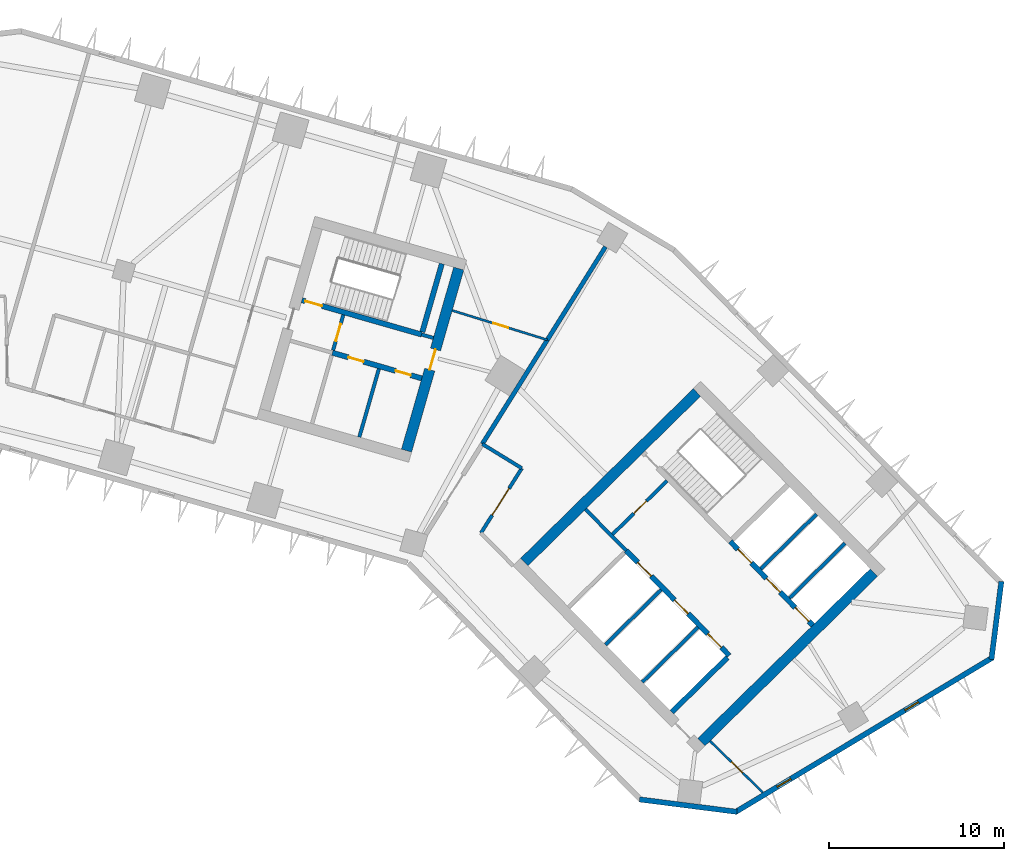
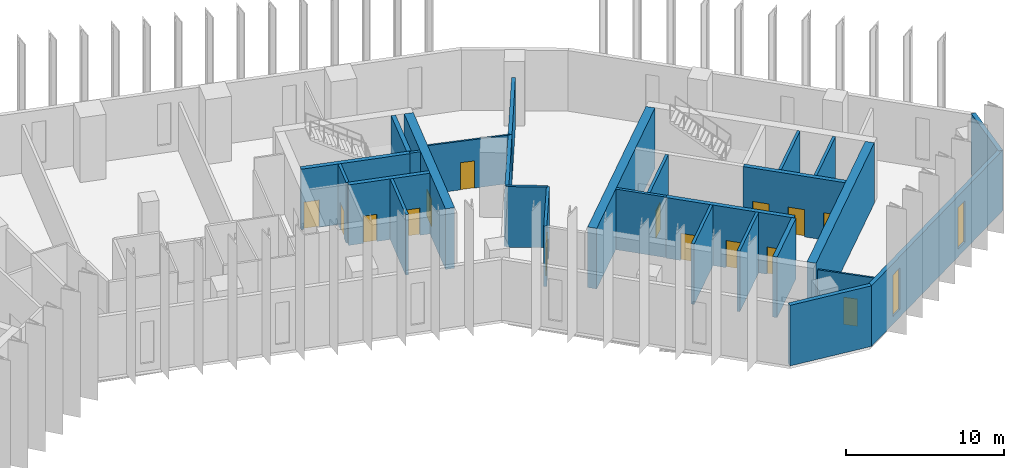
# One storey, part 6 of 11: 27 walls, 15 doors, 2 windows, 17 openings.
"""IFC4 building model written with IfcOpenShell, lengths in metres."""

from ifc_helpers import new_model, si_unit, direction, frame, frame_2d, origin, place, context, subcontext, project, spatial, rectangle, extrude, material, layer, layer_set, type_object, element, fill, save


model = new_model("IFC4")

# Units and contexts
model_context = context("Model", 3, precision=1e-05, world=origin(), true_north=direction((0.0, 1.0)))
body_context = subcontext(model_context, "Body", "Model", "MODEL_VIEW")
ifc_project = project(units=[si_unit("LENGTHUNIT", "METRE"), si_unit("AREAUNIT", "SQUARE_METRE"), si_unit("VOLUMEUNIT", "CUBIC_METRE"), si_unit("PLANEANGLEUNIT", "RADIAN"), si_unit("MASSUNIT", "GRAM", prefix="KILO")], contexts=[model_context])

# Site, building, storey
site_placement = place(None, origin())
site = spatial("IfcSite", under=ifc_project, at=site_placement, CompositionType="ELEMENT")
building_placement = place(site_placement, origin())
building = spatial("IfcBuilding", under=site, at=building_placement, Name="Binnacle Exchange Tower", CompositionType="ELEMENT")
storey_placement = place(building_placement, frame((0.0, 0.0, 76.5)))
storey = spatial("IfcBuildingStorey", under=building, at=storey_placement, Name="L15", CompositionType="ELEMENT", Elevation=76.5)

# Wall
ifc_material_1 = material(Name="Gypsum partition fire rated")
ifc_layer_1 = layer(ifc_material_1, 0.199951171875)
ifc_layer_set_1 = layer_set([ifc_layer_1], Name="Core partition 200")
wall_type_1 = type_object("IfcWallType", Name="Core partition 200", PredefinedType="PARTITIONING", material=ifc_layer_set_1)
wall_1_placement = place(storey_placement, frame((22.664794921875, 47.88330078125, 0.0), z_axis=(0.0, 0.0, 1.0), x_axis=(0.275596769212, 0.961273333033, 0.0)))
element("IfcWall", 1, at=wall_1_placement, inside=storey, type_object=wall_type_1, Name="Core wall CRWD10", PredefinedType="PARTITIONING", context=body_context, shape_type="SweptSolid", body=[
    extrude(rectangle(XDim=4.050048828125, YDim=0.199951171875, at=frame_2d((2.02490234375, 0.0))), origin(), (0.0, 0.0, 1.0), 4.679931640625),
])

# Wall, openings, doors
ifc_material_2 = material(Name="Concrete C70/85", Category="concrete")
ifc_layer_2 = layer(ifc_material_2, 0.300048828125)
ifc_layer_set_2 = layer_set([ifc_layer_2], Name="Core wall - front 300")
wall_type_2 = type_object("IfcWallType", Name="Core wall - front 300", PredefinedType="SOLIDWALL", material=ifc_layer_set_2)
wall_2_placement = place(storey_placement, frame((37.8740234375, 41.41552734375, 0.0), z_axis=(0.0, 0.0, 1.0), x_axis=(0.700918271237, -0.71324159795, 0.0)))
wall_2 = element("IfcWall", 2, at=wall_2_placement, inside=storey, type_object=wall_type_2, Name="Core wall CRWB3", PredefinedType="SOLIDWALL", context=body_context, shape_type="SweptSolid", body=[
    extrude(rectangle(XDim=8.39990234375, YDim=0.300048828125, at=frame_2d((4.199951171875, 0.0))), origin(), (0.0, 0.0, 1.0), 4.679931640625),
])
opening_1_placement = place(wall_2_placement, frame((0.949951171875, 0.0, 0.0)))
opening_1 = element("IfcOpeningElement", 3, at=opening_1_placement, cuts=wall_2, Name="Opening LD15", PredefinedType="OPENING", context=body_context, shape_type="SweptSolid", body=[
    extrude(rectangle(XDim=1.10009765625, YDim=2.10009765625, at=frame_2d((0.550048828125, 1.050048828125))), frame((0.0, 0.159912109375, 0.0), z_axis=(0.0, -1.0, 0.0), x_axis=(1.0, 0.0, 0.0)), (0.0, 0.0, 1.0), 0.320068359375),
])
opening_2_placement = place(wall_2_placement, frame((3.949951171875, 0.0, 0.0)))
opening_2 = element("IfcOpeningElement", 4, at=opening_2_placement, cuts=wall_2, Name="Opening LD16", PredefinedType="OPENING", context=body_context, shape_type="SweptSolid", body=[
    extrude(rectangle(XDim=1.10009765625, YDim=2.10009765625, at=frame_2d((0.550048828125, 1.050048828125))), frame((0.0, 0.159912109375, 0.0), z_axis=(0.0, -1.0, 0.0), x_axis=(1.0, 0.0, 0.0)), (0.0, 0.0, 1.0), 0.320068359375),
])
opening_3_placement = place(wall_2_placement, frame((6.64990234375, 0.0, 0.0)))
opening_3 = element("IfcOpeningElement", 5, at=opening_3_placement, cuts=wall_2, Name="Opening LD4", PredefinedType="OPENING", context=body_context, shape_type="SweptSolid", body=[
    extrude(rectangle(XDim=1.10009765625, YDim=2.10009765625, at=frame_2d((0.550048828125, 1.050048828125))), frame((0.0, 0.159912109375, 0.0), z_axis=(0.0, -1.0, 0.0), x_axis=(1.0, 0.0, 0.0)), (0.0, 0.0, 1.0), 0.320068359375),
])
ifc_material_3 = material(Name="Steel door leaf", Category="steel")
door_type_1 = type_object("IfcDoorType", Name="Fire door - lift landing 1100", OperationType="NOTDEFINED", PredefinedType="DOOR", material=ifc_material_3)
door_1_placement = place(opening_1_placement, origin())
door_1 = element("IfcDoor", 6, at=door_1_placement, inside=storey, type_object=door_type_1, Name="Landing door LD15 L15", OperationType="DOUBLE_DOOR_SLIDING", OverallHeight=2.10009765625, OverallWidth=1.10009765625, PredefinedType="DOOR", context=body_context, shape_type="SweptSolid", body=[
    extrude(rectangle(XDim=1.10009765625, YDim=2.10009765625, at=frame_2d((0.550048828125, 1.050048828125))), frame((0.0, 0.02490234375, 0.0), z_axis=(0.0, -1.0, 0.0), x_axis=(1.0, 0.0, 0.0)), (0.0, 0.0, 1.0), 0.050048828125),
])
fill(opening_1, door_1)
door_2_placement = place(opening_2_placement, origin())
door_2 = element("IfcDoor", 7, at=door_2_placement, inside=storey, type_object=door_type_1, Name="Landing door LD16 L15", OperationType="DOUBLE_DOOR_SLIDING", OverallHeight=2.10009765625, OverallWidth=1.10009765625, PredefinedType="DOOR", context=body_context, shape_type="SweptSolid", body=[
    extrude(rectangle(XDim=1.10009765625, YDim=2.10009765625, at=frame_2d((0.550048828125, 1.050048828125))), frame((0.0, 0.02490234375, 0.0), z_axis=(0.0, -1.0, 0.0), x_axis=(1.0, 0.0, 0.0)), (0.0, 0.0, 1.0), 0.050048828125),
])
fill(opening_2, door_2)
door_3_placement = place(opening_3_placement, origin())
door_3 = element("IfcDoor", 8, at=door_3_placement, inside=storey, type_object=door_type_1, Name="Landing door LD4 L15", OperationType="DOUBLE_DOOR_SLIDING", OverallHeight=2.10009765625, OverallWidth=1.10009765625, PredefinedType="DOOR", context=body_context, shape_type="SweptSolid", body=[
    extrude(rectangle(XDim=1.10009765625, YDim=2.10009765625, at=frame_2d((0.550048828125, 1.050048828125))), frame((0.0, 0.02490234375, 0.0), z_axis=(0.0, -1.0, 0.0), x_axis=(1.0, 0.0, 0.0)), (0.0, 0.0, 1.0), 0.050048828125),
])
fill(opening_3, door_3)

wall_3_placement = place(storey_placement, frame((43.818603515625, 41.92919921875, 0.0), z_axis=(0.0, 0.0, 1.0), x_axis=(0.700921619155, -0.713238307862, 0.0)))
wall_3 = element("IfcWall", 9, at=wall_3_placement, inside=storey, type_object=wall_type_2, Name="Core wall CRWB5", PredefinedType="SOLIDWALL", context=body_context, shape_type="SweptSolid", body=[
    extrude(rectangle(XDim=6.69970703125, YDim=0.300048828125, at=frame_2d((3.349853515625, 0.0))), origin(), (0.0, 0.0, 1.0), 4.679931640625),
])
opening_4_placement = place(wall_3_placement, frame((0.614990234375, 0.0, 0.0)))
opening_4 = element("IfcOpeningElement", 10, at=opening_4_placement, cuts=wall_3, Name="Opening LD1", PredefinedType="OPENING", context=body_context, shape_type="SweptSolid", body=[
    extrude(rectangle(XDim=1.10009765625, YDim=2.10009765625, at=frame_2d((0.550048828125, 1.050048828125))), frame((0.0, 0.159912109375, 0.0), z_axis=(0.0, -1.0, 0.0), x_axis=(1.0, 0.0, 0.0)), (0.0, 0.0, 1.0), 0.320068359375),
])
opening_5_placement = place(wall_3_placement, frame((2.945068359375, 0.0, 0.0)))
opening_5 = element("IfcOpeningElement", 11, at=opening_5_placement, cuts=wall_3, Name="Opening LD2", PredefinedType="OPENING", context=body_context, shape_type="SweptSolid", body=[
    extrude(rectangle(XDim=1.10009765625, YDim=2.10009765625, at=frame_2d((0.550048828125, 1.050048828125))), frame((0.0, 0.159912109375, 0.0), z_axis=(0.0, -1.0, 0.0), x_axis=(1.0, 0.0, 0.0)), (0.0, 0.0, 1.0), 0.320068359375),
])
opening_6_placement = place(wall_3_placement, frame((5.280029296875, 0.0, 0.0)))
opening_6 = element("IfcOpeningElement", 12, at=opening_6_placement, cuts=wall_3, Name="Opening LD3", PredefinedType="OPENING", context=body_context, shape_type="SweptSolid", body=[
    extrude(rectangle(XDim=1.10009765625, YDim=2.10009765625, at=frame_2d((0.550048828125, 1.050048828125))), frame((0.0, 0.159912109375, 0.0), z_axis=(0.0, -1.0, 0.0), x_axis=(1.0, 0.0, 0.0)), (0.0, 0.0, 1.0), 0.320068359375),
])
door_4_placement = place(opening_4_placement, origin())
door_4 = element("IfcDoor", 13, at=door_4_placement, inside=storey, type_object=door_type_1, Name="Landing door LD1 L15", OperationType="DOUBLE_DOOR_SLIDING", OverallHeight=2.10009765625, OverallWidth=1.10009765625, PredefinedType="DOOR", context=body_context, shape_type="SweptSolid", body=[
    extrude(rectangle(XDim=1.10009765625, YDim=2.10009765625, at=frame_2d((0.550048828125, 1.050048828125))), frame((0.0, 0.02490234375, 0.0), z_axis=(0.0, -1.0, 0.0), x_axis=(1.0, 0.0, 0.0)), (0.0, 0.0, 1.0), 0.050048828125),
])
fill(opening_4, door_4)
door_5_placement = place(opening_5_placement, origin())
door_5 = element("IfcDoor", 14, at=door_5_placement, inside=storey, type_object=door_type_1, Name="Landing door LD2 L15", OperationType="DOUBLE_DOOR_SLIDING", OverallHeight=2.10009765625, OverallWidth=1.10009765625, PredefinedType="DOOR", context=body_context, shape_type="SweptSolid", body=[
    extrude(rectangle(XDim=1.10009765625, YDim=2.10009765625, at=frame_2d((0.550048828125, 1.050048828125))), frame((0.0, 0.02490234375, 0.0), z_axis=(0.0, -1.0, 0.0), x_axis=(1.0, 0.0, 0.0)), (0.0, 0.0, 1.0), 0.050048828125),
])
fill(opening_5, door_5)
door_6_placement = place(opening_6_placement, origin())
door_6 = element("IfcDoor", 15, at=door_6_placement, inside=storey, type_object=door_type_1, Name="Landing door LD3 L15", OperationType="DOUBLE_DOOR_SLIDING", OverallHeight=2.10009765625, OverallWidth=1.10009765625, PredefinedType="DOOR", context=body_context, shape_type="SweptSolid", body=[
    extrude(rectangle(XDim=1.10009765625, YDim=2.10009765625, at=frame_2d((0.550048828125, 1.050048828125))), frame((0.0, 0.02490234375, 0.0), z_axis=(0.0, -1.0, 0.0), x_axis=(1.0, 0.0, 0.0)), (0.0, 0.0, 1.0), 0.050048828125),
])
fill(opening_6, door_6)

# Wall
wall_4_placement = place(storey_placement, frame((40.480712890625, 32.199951171875, 0.0), z_axis=(0.0, 0.0, 1.0), x_axis=(0.713251741427, 0.700907949271, 0.0)))
element("IfcWall", 16, at=wall_4_placement, inside=storey, type_object=wall_type_2, Name="Core wall CRWB14", PredefinedType="SOLIDWALL", context=body_context, shape_type="SweptSolid", body=[
    extrude(rectangle(XDim=4.4501953125, YDim=0.300048828125, at=frame_2d((2.22509765625, 0.0))), origin(), (0.0, 0.0, 1.0), 4.679931640625),
])

# Wall, openings, doors
wall_5_placement = place(storey_placement, frame((21.130859375, 52.6923828125, 0.0), z_axis=(0.0, 0.0, 1.0), x_axis=(0.961271492568, -0.275603188616, 0.0)))
wall_5 = element("IfcWall", 17, at=wall_5_placement, inside=storey, type_object=wall_type_2, Name="Core wall CRWD3", PredefinedType="SOLIDWALL", context=body_context, shape_type="SweptSolid", body=[
    extrude(rectangle(XDim=5.300048828125, YDim=0.300048828125, at=frame_2d((2.64990234375, 0.0))), origin(), (0.0, 0.0, 1.0), 4.679931640625),
])
opening_7_placement = place(wall_5_placement, frame((0.949951171875, 0.0, 0.0)))
opening_7 = element("IfcOpeningElement", 18, at=opening_7_placement, cuts=wall_5, Name="Opening DD10", PredefinedType="OPENING", context=body_context, shape_type="SweptSolid", body=[
    extrude(rectangle(XDim=0.89990234375, YDim=2.10009765625, at=frame_2d((0.449951171875, 1.050048828125))), frame((0.0, 0.159912109375, 0.0), z_axis=(0.0, -1.0, 0.0), x_axis=(1.0, 0.0, 0.0)), (0.0, 0.0, 1.0), 0.320068359375),
])
opening_8_placement = place(wall_5_placement, frame((3.75, 0.0, 0.0)))
opening_8 = element("IfcOpeningElement", 19, at=opening_8_placement, cuts=wall_5, Name="Opening DD11", PredefinedType="OPENING", context=body_context, shape_type="SweptSolid", body=[
    extrude(rectangle(XDim=0.89990234375, YDim=2.10009765625, at=frame_2d((0.449951171875, 1.050048828125))), frame((0.0, 0.159912109375, 0.0), z_axis=(0.0, -1.0, 0.0), x_axis=(1.0, 0.0, 0.0)), (0.0, 0.0, 1.0), 0.320068359375),
])
door_type_2 = type_object("IfcDoorType", Name="Fire door 900", OperationType="NOTDEFINED", PredefinedType="DOOR", material=ifc_material_3)
door_7_placement = place(opening_7_placement, frame((0.89990234375, 0.0, 0.0), z_axis=(0.0, 0.0, 1.0), x_axis=(-1.0, 0.0, 0.0)))
door_7 = element("IfcDoor", 20, at=door_7_placement, inside=storey, type_object=door_type_2, Name="Core room door COMMS RISER ROOM", OperationType="SINGLE_SWING_RIGHT", OverallHeight=2.10009765625, OverallWidth=0.89990234375, PredefinedType="DOOR", context=body_context, shape_type="SweptSolid", body=[
    extrude(rectangle(XDim=0.89990234375, YDim=2.10009765625, at=frame_2d((0.449951171875, 1.050048828125))), frame((0.0, 0.02490234375, 0.0), z_axis=(0.0, -1.0, 0.0), x_axis=(1.0, 0.0, 0.0)), (0.0, 0.0, 1.0), 0.050048828125),
])
fill(opening_7, door_7)
door_8_placement = place(opening_8_placement, frame((0.89990234375, 0.0, 0.0), z_axis=(0.0, 0.0, 1.0), x_axis=(-1.0, 0.0, 0.0)))
door_8 = element("IfcDoor", 21, at=door_8_placement, inside=storey, type_object=door_type_2, Name="Core room door CLEANERS STORE", OperationType="SINGLE_SWING_LEFT", OverallHeight=2.10009765625, OverallWidth=0.89990234375, PredefinedType="DOOR", context=body_context, shape_type="SweptSolid", body=[
    extrude(rectangle(XDim=0.89990234375, YDim=2.10009765625, at=frame_2d((0.449951171875, 1.050048828125))), frame((0.0, 0.02490234375, 0.0), z_axis=(0.0, -1.0, 0.0), x_axis=(1.0, 0.0, 0.0)), (0.0, 0.0, 1.0), 0.050048828125),
])
fill(opening_8, door_8)

# Walls
ifc_layer_3 = layer(ifc_material_2, 0.60009765625)
ifc_layer_set_3 = layer_set([ifc_layer_3], Name="Core wall - outer 600")
wall_type_3 = type_object("IfcWallType", Name="Core wall - outer 600", PredefinedType="SOLIDWALL", material=ifc_layer_set_3)
for number, where, z_axis, x_axis, name in (
    (22, (32.06982421875, 40.759033203125, 0.0), (0.0, 0.0, 1.0), (0.713245344712, 0.70091445858, 0.0), "Core wall CRWB7"),
    (23, (42.1630859375, 30.48828125, 0.0), (0.0, 0.0, 1.0), (0.713245344712, 0.70091445858, 0.0), "Core wall CRWB16"),
):
    element("IfcWall", number, at=place(storey_placement, frame(where, z_axis=z_axis, x_axis=x_axis)), inside=storey, type_object=wall_type_3, Name=name, PredefinedType="SOLIDWALL", context=body_context, shape_type="SweptSolid", body=[
        extrude(rectangle(XDim=13.800048828125, YDim=0.60009765625, at=frame_2d((6.89990234375, 0.0))), origin(), (0.0, 0.0, 1.0), 4.679931640625),
    ])

# Wall, opening, door
wall_6_placement = place(storey_placement, frame((25.356201171875, 47.111572265625, 0.0), z_axis=(0.0, 0.0, 1.0), x_axis=(0.275631631629, 0.961263337304, 0.0)))
wall_6 = element("IfcWall", 24, at=wall_6_placement, inside=storey, type_object=wall_type_3, Name="Core wall CRWD12", PredefinedType="SOLIDWALL", context=body_context, shape_type="SweptSolid", body=[
    extrude(rectangle(XDim=10.800048828125, YDim=0.60009765625, at=frame_2d((5.39990234375, 0.0))), origin(), (0.0, 0.0, 1.0), 4.679931640625),
])
opening_9_placement = place(wall_6_placement, frame((4.800048828125, 0.0, 0.0)))
opening_9 = element("IfcOpeningElement", 25, at=opening_9_placement, cuts=wall_6, Name="Opening DD6", PredefinedType="OPENING", context=body_context, shape_type="SweptSolid", body=[
    extrude(rectangle(XDim=1.199951171875, YDim=2.10009765625, at=frame_2d((0.60009765625, 1.050048828125))), frame((0.0, 0.31005859375, 0.0), z_axis=(0.0, -1.0, 0.0), x_axis=(1.0, 0.0, 0.0)), (0.0, 0.0, 1.0), 0.6201171875),
])
door_type_3 = type_object("IfcDoorType", Name="Fire door 1200", OperationType="NOTDEFINED", PredefinedType="DOOR", material=ifc_material_3)
door_9_placement = place(opening_9_placement, frame((1.199951171875, 0.0, 0.0), z_axis=(0.0, 0.0, 1.0), x_axis=(-1.0, 0.0, 0.0)))
door_9 = element("IfcDoor", 26, at=door_9_placement, inside=storey, type_object=door_type_3, Name="Core passage exit door", OperationType="SINGLE_SWING_LEFT", OverallHeight=2.10009765625, OverallWidth=1.199951171875, PredefinedType="DOOR", context=body_context, shape_type="SweptSolid", body=[
    extrude(rectangle(XDim=1.199951171875, YDim=2.10009765625, at=frame_2d((0.60009765625, 1.050048828125))), frame((0.0, 0.02490234375, 0.0), z_axis=(0.0, -1.0, 0.0), x_axis=(1.0, 0.0, 0.0)), (0.0, 0.0, 1.0), 0.050048828125),
])
fill(opening_9, door_9)

ifc_layer_4 = layer(ifc_material_2, 0.300048828125)
ifc_layer_set_4 = layer_set([ifc_layer_4], Name="Core wall - stair 300")
wall_type_4 = type_object("IfcWallType", Name="Core wall - stair 300", PredefinedType="SOLIDWALL", material=ifc_layer_set_4)
wall_7_placement = place(storey_placement, frame((19.38916015625, 55.688720703125, 0.0), z_axis=(0.0, 0.0, 1.0), x_axis=(0.961261397636, -0.275638396117, 0.0)))
wall_7 = element("IfcWall", 27, at=wall_7_placement, inside=storey, type_object=wall_type_4, Name="Core wall CRWD4", PredefinedType="SOLIDWALL", context=body_context, shape_type="SweptSolid", body=[
    extrude(rectangle(XDim=7.10009765625, YDim=0.300048828125, at=frame_2d((3.550048828125, 0.0))), origin(), (0.0, 0.0, 1.0), 4.679931640625),
])
opening_10_placement = place(wall_7_placement, frame((0.199951171875, 0.0, 0.0)))
opening_10 = element("IfcOpeningElement", 28, at=opening_10_placement, cuts=wall_7, Name="Opening DD1", PredefinedType="OPENING", context=body_context, shape_type="SweptSolid", body=[
    extrude(rectangle(XDim=1.0, YDim=2.10009765625, at=frame_2d((0.5, 1.050048828125))), frame((0.0, 0.159912109375, 0.0), z_axis=(0.0, -1.0, 0.0), x_axis=(1.0, 0.0, 0.0)), (0.0, 0.0, 1.0), 0.320068359375),
])
door_type_4 = type_object("IfcDoorType", Name="Fire door 1000", OperationType="NOTDEFINED", PredefinedType="DOOR", material=ifc_material_3)
door_10_placement = place(opening_10_placement, origin())
door_10 = element("IfcDoor", 29, at=door_10_placement, inside=storey, type_object=door_type_4, Name="Stair door ST-D1", OperationType="SINGLE_SWING_LEFT", OverallHeight=2.10009765625, OverallWidth=1.0, PredefinedType="DOOR", context=body_context, shape_type="SweptSolid", body=[
    extrude(rectangle(XDim=1.0, YDim=2.10009765625, at=frame_2d((0.5, 1.050048828125))), frame((0.0, 0.02490234375, 0.0), z_axis=(0.0, -1.0, 0.0), x_axis=(1.0, 0.0, 0.0)), (0.0, 0.0, 1.0), 0.050048828125),
])
fill(opening_10, door_10)

# Walls
wall_8_placement = place(storey_placement, frame((26.255615234375, 53.875732421875, 0.0), z_axis=(0.0, 0.0, 1.0), x_axis=(0.275612739511, 0.961268754209, 0.0)))
element("IfcWall", 30, at=wall_8_placement, inside=storey, type_object=wall_type_4, Name="Core wall CRWD11", PredefinedType="SOLIDWALL", context=body_context, shape_type="SweptSolid", body=[
    extrude(rectangle(XDim=4.0498046875, YDim=0.300048828125, at=frame_2d((2.02490234375, 0.0))), origin(), (0.0, 0.0, 1.0), 4.679931640625),
])
ifc_material_4 = material(Name="Bronze aluminium cladding", Category="aluminium")
ifc_layer_5 = layer(ifc_material_4, 0.300048828125)
ifc_layer_set_5 = layer_set([ifc_layer_5], Name="External wall - spandrel 300")
wall_type_5 = type_object("IfcWallType", Name="External wall - spandrel 300", PredefinedType="STANDARD", material=ifc_layer_set_5)
wall_9_placement = place(storey_placement, frame((44.19580078125, 26.517822265625, 0.0), z_axis=(0.0, 0.0, 1.0), x_axis=(-0.992001881269, 0.126223086474, 0.0)))
element("IfcWall", 31, at=wall_9_placement, inside=storey, type_object=wall_type_5, Name="External wall EW-F10 L15", PredefinedType="STANDARD", context=body_context, shape_type="SweptSolid", body=[
    extrude(rectangle(XDim=5.6015625, YDim=0.300048828125, at=frame_2d((2.80078125, 0.0))), origin(), (0.0, 0.0, 1.0), 4.679931640625),
])

# Wall, openings, windows
wall_10_placement = place(storey_placement, frame((58.7783203125, 35.317626953125, 0.0), z_axis=(0.0, 0.0, 1.0), x_axis=(-0.857168206138, -0.515036568009, 0.0)))
wall_10 = element("IfcWall", 32, at=wall_10_placement, inside=storey, type_object=wall_type_5, Name="External wall EW-F11 L15", PredefinedType="STANDARD", context=body_context, shape_type="SweptSolid", body=[
    extrude(rectangle(XDim=17.124755859375, YDim=0.300048828125, at=frame_2d((8.5625, 0.0))), origin(), (0.0, 0.0, 1.0), 4.679931640625),
])
opening_11_placement = place(wall_10_placement, frame((13.435302734375, 0.0, 0.60009765625)))
opening_11 = element("IfcOpeningElement", 33, at=opening_11_placement, cuts=wall_10, Name="Opening WS1", PredefinedType="OPENING", context=body_context, shape_type="SweptSolid", body=[
    extrude(rectangle(XDim=0.89990234375, YDim=3.199951171875, at=frame_2d((0.449951171875, 1.60009765625))), frame((0.0, 0.159912109375, 0.0), z_axis=(0.0, -1.0, 0.0), x_axis=(1.0, 0.0, 0.0)), (0.0, 0.0, 1.0), 0.320068359375),
])
opening_12_placement = place(wall_10_placement, frame((4.935302734375, 0.0, 0.60009765625)))
opening_12 = element("IfcOpeningElement", 34, at=opening_12_placement, cuts=wall_10, Name="Opening WS1", PredefinedType="OPENING", context=body_context, shape_type="SweptSolid", body=[
    extrude(rectangle(XDim=0.89990234375, YDim=3.199951171875, at=frame_2d((0.449951171875, 1.60009765625))), frame((0.0, 0.159912109375, 0.0), z_axis=(0.0, -1.0, 0.0), x_axis=(1.0, 0.0, 0.0)), (0.0, 0.0, 1.0), 0.320068359375),
])
ifc_material_5 = material(Name="Bronze anodised aluminium frame", Category="aluminium")
window_type = type_object("IfcWindowType", Name="WS1 WINDOW 900x3200", PartitioningType="SINGLE_PANEL", PredefinedType="WINDOW", material=ifc_material_5)
window_1_placement = place(opening_11_placement, origin())
window_1 = element("IfcWindow", 35, at=window_1_placement, inside=storey, type_object=window_type, Name="Window WS1 L15", OverallHeight=3.199951171875, OverallWidth=0.89990234375, PartitioningType="SINGLE_PANEL", PredefinedType="WINDOW", context=body_context, shape_type="SweptSolid", body=[
    extrude(rectangle(XDim=0.89990234375, YDim=3.199951171875, at=frame_2d((0.449951171875, 1.60009765625))), frame((0.0, 0.030029296875, 0.0), z_axis=(0.0, -1.0, 0.0), x_axis=(1.0, 0.0, 0.0)), (0.0, 0.0, 1.0), 0.06005859375),
])
fill(opening_11, window_1)
window_2_placement = place(opening_12_placement, origin())
window_2 = element("IfcWindow", 36, at=window_2_placement, inside=storey, type_object=window_type, Name="Window WS1 L15", OverallHeight=3.199951171875, OverallWidth=0.89990234375, PartitioningType="SINGLE_PANEL", PredefinedType="WINDOW", context=body_context, shape_type="SweptSolid", body=[
    extrude(rectangle(XDim=0.89990234375, YDim=3.199951171875, at=frame_2d((0.449951171875, 1.60009765625))), frame((0.0, 0.030029296875, 0.0), z_axis=(0.0, -1.0, 0.0), x_axis=(1.0, 0.0, 0.0)), (0.0, 0.0, 1.0), 0.06005859375),
])
fill(opening_12, window_2)

# Wall
wall_11_placement = place(storey_placement, frame((59.27197265625, 39.6513671875, 0.0), z_axis=(0.0, 0.0, 1.0), x_axis=(-0.126181137886, -0.992007217938, 0.0)))
element("IfcWall", 37, at=wall_11_placement, inside=storey, type_object=wall_type_5, Name="External wall EW-F12 L15", PredefinedType="STANDARD", context=body_context, shape_type="SweptSolid", body=[
    extrude(rectangle(XDim=4.479248046875, YDim=0.300048828125, at=frame_2d((2.23974609375, 0.0))), origin(), (0.0, 0.0, 1.0), 4.679931640625),
])

# Wall, opening, door
ifc_material_6 = material(Name="Masonry block wall", Category="masonry")
ifc_layer_6 = layer(ifc_material_6, 0.199951171875)
ifc_layer_set_6 = layer_set([ifc_layer_6], Name="Fire wall - block 200")
wall_type_6 = type_object("IfcWallType", Name="Fire wall - block 200", PredefinedType="PARTITIONING", material=ifc_layer_set_6)
wall_12_placement = place(storey_placement, frame((29.60009765625, 42.416015625, 0.0), z_axis=(0.0, 0.0, 1.0), x_axis=(0.533582711531, 0.84574788794, 0.0)))
wall_12 = element("IfcWall", 38, at=wall_12_placement, inside=storey, type_object=wall_type_6, Name="Partition W39", PredefinedType="PARTITIONING", context=body_context, shape_type="SweptSolid", body=[
    extrude(rectangle(XDim=4.366455078125, YDim=0.199951171875, at=frame_2d((2.18310546875, 0.0))), origin(), (0.0, 0.0, 1.0), 4.679931640625),
])
opening_13_placement = place(wall_12_placement, frame((1.199951171875, 0.0, 0.0)))
opening_13 = element("IfcOpeningElement", 39, at=opening_13_placement, cuts=wall_12, Name="Opening DL14-12", PredefinedType="OPENING", context=body_context, shape_type="SweptSolid", body=[
    extrude(rectangle(XDim=1.800048828125, YDim=2.10009765625, at=frame_2d((0.89990234375, 1.050048828125))), frame((0.0, 0.10986328125, 0.0), z_axis=(0.0, -1.0, 0.0), x_axis=(1.0, 0.0, 0.0)), (0.0, 0.0, 1.0), 0.219970703125),
])
door_type_5 = type_object("IfcDoorType", Name="Fire door 1800", OperationType="NOTDEFINED", PredefinedType="DOOR", material=ifc_material_3)
door_11_placement = place(opening_13_placement, frame((1.800048828125, 0.0, 0.0), z_axis=(0.0, 0.0, 1.0), x_axis=(-1.0, 0.0, 0.0)))
door_11 = element("IfcDoor", 40, at=door_11_placement, inside=storey, type_object=door_type_5, Name="Door DL14-12", OperationType="DOUBLE_DOOR_SINGLE_SWING", OverallHeight=2.10009765625, OverallWidth=1.800048828125, PredefinedType="DOOR", context=body_context, shape_type="SweptSolid", body=[
    extrude(rectangle(XDim=1.800048828125, YDim=2.10009765625, at=frame_2d((0.89990234375, 1.050048828125))), frame((0.0, 0.02490234375, 0.0), z_axis=(0.0, -1.0, 0.0), x_axis=(1.0, 0.0, 0.0)), (0.0, 0.0, 1.0), 0.050048828125),
])
fill(opening_13, door_11)

# Walls
wall_13_placement = place(storey_placement, frame((29.675048828125, 47.490966796875, 0.0), z_axis=(0.0, 0.0, 1.0), x_axis=(0.852591965232, -0.522577210392, 0.0)))
element("IfcWall", 41, at=wall_13_placement, inside=storey, type_object=wall_type_6, Name="Partition W40", PredefinedType="PARTITIONING", context=body_context, shape_type="SweptSolid", body=[
    extrude(rectangle(XDim=2.644775390625, YDim=0.199951171875, at=frame_2d((1.322265625, 0.0))), origin(), (0.0, 0.0, 1.0), 4.679931640625),
])
ifc_material_7 = material(Name="Concrete fire wall C30/37", Category="concrete")
ifc_layer_7 = layer(ifc_material_7, 0.25)
ifc_layer_set_7 = layer_set([ifc_layer_7], Name="Fire wall - compartment 250")
wall_type_7 = type_object("IfcWallType", Name="Fire wall - compartment 250", PredefinedType="PARTITIONING", material=ifc_layer_set_7)
wall_14_placement = place(storey_placement, frame((29.675048828125, 47.490966796875, 0.0), z_axis=(0.0, 0.0, 1.0), x_axis=(0.529992669945, 0.848002222759, 0.0)))
element("IfcWall", 42, at=wall_14_placement, inside=storey, type_object=wall_type_7, Name="Fire Wall W41", PredefinedType="PARTITIONING", context=body_context, shape_type="SweptSolid", body=[
    extrude(rectangle(XDim=7.0, YDim=0.25, at=frame_2d((3.5, 0.0))), origin(), (0.0, 0.0, 1.0), 3.741943359375),
])
wall_15_placement = place(storey_placement, frame((33.385009765625, 53.427001953125, 0.0), z_axis=(0.0, 0.0, 1.0), x_axis=(0.529897235032, 0.848061861131, 0.0)))
element("IfcWall", 43, at=wall_15_placement, inside=storey, type_object=wall_type_7, Name="Fire Wall W42", PredefinedType="PARTITIONING", context=body_context, shape_type="SweptSolid", body=[
    extrude(rectangle(XDim=6.257568359375, YDim=0.25, at=frame_2d((3.12890625, 0.0))), origin(), (0.0, 0.0, 1.0), 3.741943359375),
])

# Wall, opening, door
ifc_layer_8 = layer(ifc_material_6, 0.199951171875)
ifc_layer_set_8 = layer_set([ifc_layer_8], Name="Fire wall - vestibule 200")
wall_type_8 = type_object("IfcWallType", Name="Fire wall - vestibule 200", PredefinedType="PARTITIONING", material=ifc_layer_set_8)
wall_16_placement = place(storey_placement, frame((37.104248046875, 42.341552734375, 0.0), z_axis=(0.0, 0.0, 1.0), x_axis=(0.713281298468, 0.700877870428, 0.0)))
wall_16 = element("IfcWall", 44, at=wall_16_placement, inside=storey, type_object=wall_type_8, Name="Core wall CRWB8", PredefinedType="PARTITIONING", context=body_context, shape_type="SweptSolid", body=[
    extrude(rectangle(XDim=4.35009765625, YDim=0.199951171875, at=frame_2d((2.175048828125, 0.0))), origin(), (0.0, 0.0, 1.0), 4.679931640625),
])
opening_14_placement = place(wall_16_placement, frame((1.699951171875, 0.0, 0.0)))
opening_14 = element("IfcOpeningElement", 45, at=opening_14_placement, cuts=wall_16, Name="Opening DB3", PredefinedType="OPENING", context=body_context, shape_type="SweptSolid", body=[
    extrude(rectangle(XDim=1.0, YDim=2.10009765625, at=frame_2d((0.5, 1.050048828125))), frame((0.0, 0.10986328125, 0.0), z_axis=(0.0, -1.0, 0.0), x_axis=(1.0, 0.0, 0.0)), (0.0, 0.0, 1.0), 0.219970703125),
])
door_12_placement = place(opening_14_placement, origin())
door_12 = element("IfcDoor", 46, at=door_12_placement, inside=storey, type_object=door_type_4, Name="Vestibule door VEST-W", OperationType="SINGLE_SWING_RIGHT", OverallHeight=2.10009765625, OverallWidth=1.0, PredefinedType="DOOR", context=body_context, shape_type="SweptSolid", body=[
    extrude(rectangle(XDim=1.0, YDim=2.10009765625, at=frame_2d((0.5, 1.050048828125))), frame((0.0, 0.02490234375, 0.0), z_axis=(0.0, -1.0, 0.0), x_axis=(1.0, 0.0, 0.0)), (0.0, 0.0, 1.0), 0.050048828125),
])
fill(opening_14, door_12)

wall_17_placement = place(storey_placement, frame((21.172119140625, 52.836669921875, 0.0), z_axis=(0.0, 0.0, 1.0), x_axis=(0.275657676022, 0.961255868981, 0.0)))
wall_17 = element("IfcWall", 47, at=wall_17_placement, inside=storey, type_object=wall_type_8, Name="Core wall CRWD9", PredefinedType="PARTITIONING", context=body_context, shape_type="SweptSolid", body=[
    extrude(rectangle(XDim=2.099853515625, YDim=0.199951171875, at=frame_2d((1.0498046875, 0.0))), origin(), (0.0, 0.0, 1.0), 4.679931640625),
])
opening_15_placement = place(wall_17_placement, frame((0.550048828125, 0.0, 0.0)))
opening_15 = element("IfcOpeningElement", 48, at=opening_15_placement, cuts=wall_17, Name="Opening DD3", PredefinedType="OPENING", context=body_context, shape_type="SweptSolid", body=[
    extrude(rectangle(XDim=1.0, YDim=2.10009765625, at=frame_2d((0.5, 1.050048828125))), frame((0.0, 0.10986328125, 0.0), z_axis=(0.0, -1.0, 0.0), x_axis=(1.0, 0.0, 0.0)), (0.0, 0.0, 1.0), 0.219970703125),
])
door_13_placement = place(opening_15_placement, origin())
door_13 = element("IfcDoor", 49, at=door_13_placement, inside=storey, type_object=door_type_4, Name="Vestibule door VEST-W", OperationType="SINGLE_SWING_RIGHT", OverallHeight=2.10009765625, OverallWidth=1.0, PredefinedType="DOOR", context=body_context, shape_type="SweptSolid", body=[
    extrude(rectangle(XDim=1.0, YDim=2.10009765625, at=frame_2d((0.5, 1.050048828125))), frame((0.0, 0.02490234375, 0.0), z_axis=(0.0, -1.0, 0.0), x_axis=(1.0, 0.0, 0.0)), (0.0, 0.0, 1.0), 0.050048828125),
])
fill(opening_15, door_13)

ifc_material_8 = material(Name="Gypsum partition")
ifc_layer_9 = layer(ifc_material_8, 0.125)
ifc_layer_set_9 = layer_set([ifc_layer_9], Name="Partition 125")
wall_type_9 = type_object("IfcWallType", Name="Partition 125", PredefinedType="PARTITIONING", material=ifc_layer_set_9)
wall_18_placement = place(storey_placement, frame((27.9599609375, 55.10302734375, 0.0), z_axis=(0.0, 0.0, 1.0), x_axis=(0.955442775069, -0.29517639399, 0.0)))
wall_18 = element("IfcWall", 50, at=wall_18_placement, inside=storey, type_object=wall_type_9, Name="Partition W37", PredefinedType="PARTITIONING", context=body_context, shape_type="SweptSolid", body=[
    extrude(rectangle(XDim=5.677978515625, YDim=0.125, at=frame_2d((2.8388671875, 0.0))), origin(), (0.0, 0.0, 1.0), 3.748046875),
])
opening_16_placement = place(wall_18_placement, frame((2.449951171875, 0.0, 0.0)))
opening_16 = element("IfcOpeningElement", 51, at=opening_16_placement, cuts=wall_18, Name="Opening DL14-11", PredefinedType="OPENING", context=body_context, shape_type="SweptSolid", body=[
    extrude(rectangle(XDim=0.89990234375, YDim=2.10009765625, at=frame_2d((0.449951171875, 1.050048828125))), frame((0.0, 0.072509765625, 0.0), z_axis=(0.0, -1.0, 0.0), x_axis=(1.0, 0.0, 0.0)), (0.0, 0.0, 1.0), 0.14501953125),
])
ifc_material_9 = material(Name="Timber door leaf", Category="wood")
door_type_6 = type_object("IfcDoorType", Name="Door 900", OperationType="NOTDEFINED", PredefinedType="DOOR", material=ifc_material_9)
door_14_placement = place(opening_16_placement, origin())
door_14 = element("IfcDoor", 52, at=door_14_placement, inside=storey, type_object=door_type_6, Name="Door DL14-11", OperationType="SINGLE_SWING_RIGHT", OverallHeight=2.10009765625, OverallWidth=0.89990234375, PredefinedType="DOOR", context=body_context, shape_type="SweptSolid", body=[
    extrude(rectangle(XDim=0.89990234375, YDim=2.10009765625, at=frame_2d((0.449951171875, 1.050048828125))), frame((0.0, 0.02490234375, 0.0), z_axis=(0.0, -1.0, 0.0), x_axis=(1.0, 0.0, 0.0)), (0.0, 0.0, 1.0), 0.050048828125),
])
fill(opening_16, door_14)

wall_19_placement = place(storey_placement, frame((42.658935546875, 30.554931640625, 0.0), z_axis=(0.0, 0.0, 1.0), x_axis=(0.716925671772, -0.697149611743, 0.0)))
wall_19 = element("IfcWall", 53, at=wall_19_placement, inside=storey, type_object=wall_type_9, Name="Partition W43", PredefinedType="PARTITIONING", context=body_context, shape_type="SweptSolid", body=[
    extrude(rectangle(XDim=4.209716796875, YDim=0.125, at=frame_2d((2.10498046875, 0.0))), origin(), (0.0, 0.0, 1.0), 3.951904296875),
])
opening_17_placement = place(wall_19_placement, frame((1.699951171875, 0.0, 0.0)))
opening_17 = element("IfcOpeningElement", 54, at=opening_17_placement, cuts=wall_19, Name="Opening DL14-13", PredefinedType="OPENING", context=body_context, shape_type="SweptSolid", body=[
    extrude(rectangle(XDim=0.89990234375, YDim=2.10009765625, at=frame_2d((0.449951171875, 1.050048828125))), frame((0.0, 0.072509765625, 0.0), z_axis=(0.0, -1.0, 0.0), x_axis=(1.0, 0.0, 0.0)), (0.0, 0.0, 1.0), 0.14501953125),
])
door_15_placement = place(opening_17_placement, origin())
door_15 = element("IfcDoor", 55, at=door_15_placement, inside=storey, type_object=door_type_6, Name="Door DL14-13", OperationType="SINGLE_SWING_RIGHT", OverallHeight=2.10009765625, OverallWidth=0.89990234375, PredefinedType="DOOR", context=body_context, shape_type="SweptSolid", body=[
    extrude(rectangle(XDim=0.89990234375, YDim=2.10009765625, at=frame_2d((0.449951171875, 1.050048828125))), frame((0.0, 0.02490234375, 0.0), z_axis=(0.0, -1.0, 0.0), x_axis=(1.0, 0.0, 0.0)), (0.0, 0.0, 1.0), 0.050048828125),
])
fill(opening_17, door_15)

# Walls
ifc_layer_10 = layer(ifc_material_6, 0.199951171875)
ifc_layer_set_10 = layer_set([ifc_layer_10], Name="Riser wall 200")
wall_type_10 = type_object("IfcWallType", Name="Riser wall 200", PredefinedType="SOLIDWALL", material=ifc_layer_set_10)
wall_20_placement = place(storey_placement, frame((35.56103515625, 43.769287109375, 0.0), z_axis=(0.0, 0.0, 1.0), x_axis=(0.70090232736, -0.713257266, 0.0)))
element("IfcWall", 56, at=wall_20_placement, inside=storey, type_object=wall_type_10, Name="Core wall CRWB2", PredefinedType="SOLIDWALL", context=body_context, shape_type="SweptSolid", body=[
    extrude(rectangle(XDim=3.300048828125, YDim=0.199951171875, at=frame_2d((1.64990234375, 0.0))), origin(), (0.0, 0.0, 1.0), 4.679931640625),
])
wall_21_placement = place(storey_placement, frame((26.214111328125, 53.731689453125, 0.0), z_axis=(0.0, 0.0, 1.0), x_axis=(0.96122076476, -0.27578005982, 0.0)))
element("IfcWall", 57, at=wall_21_placement, inside=storey, type_object=wall_type_10, Name="Core wall CRWD5", PredefinedType="SOLIDWALL", context=body_context, shape_type="SweptSolid", body=[
    extrude(rectangle(XDim=0.7001953125, YDim=0.199951171875, at=frame_2d((0.35009765625, 0.0))), origin(), (0.0, 0.0, 1.0), 4.679931640625),
])
ifc_layer_11 = layer(ifc_material_6, 0.199951171875)
ifc_layer_set_11 = layer_set([ifc_layer_11], Name="Shaft wall 200")
wall_type_11 = type_object("IfcWallType", Name="Shaft wall 200", PredefinedType="SOLIDWALL", material=ifc_layer_set_11)
for number, where, z_axis, x_axis, name in (
    (58, (36.69580078125, 36.051513671875, 0.0), (0.0, 0.0, 1.0), (0.713251741427, 0.700907949271, 0.0), "Core wall CRWB10"),
    (59, (38.798583984375, 33.911865234375, 0.0), (0.0, 0.0, 1.0), (0.713251741427, 0.700907949271, 0.0), "Core wall CRWB12"),
    (60, (45.55859375, 40.37255859375, 0.0), (0.0, 0.0, 1.0), (0.713251741427, 0.700907949271, 0.0), "Core wall CRWB13"),
    (61, (47.191650390625, 38.710693359375, 0.0), (0.0, 0.0, 1.0), (0.713251741427, 0.700907949271, 0.0), "Core wall CRWB15"),
):
    element("IfcWall", number, at=place(storey_placement, frame(where, z_axis=z_axis, x_axis=x_axis)), inside=storey, type_object=wall_type_11, Name=name, PredefinedType="SOLIDWALL", context=body_context, shape_type="SweptSolid", body=[
        extrude(rectangle(XDim=4.4501953125, YDim=0.199951171875, at=frame_2d((2.22509765625, 0.0))), origin(), (0.0, 0.0, 1.0), 4.679931640625),
    ])

save(model, "model.ifc")
